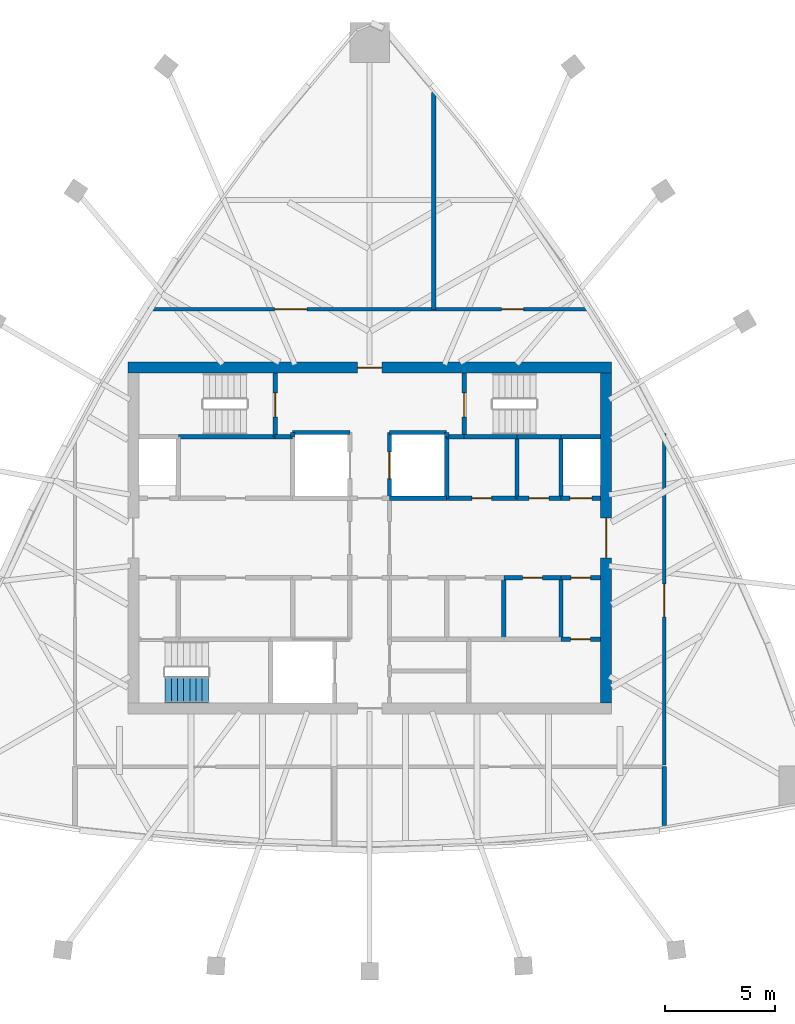
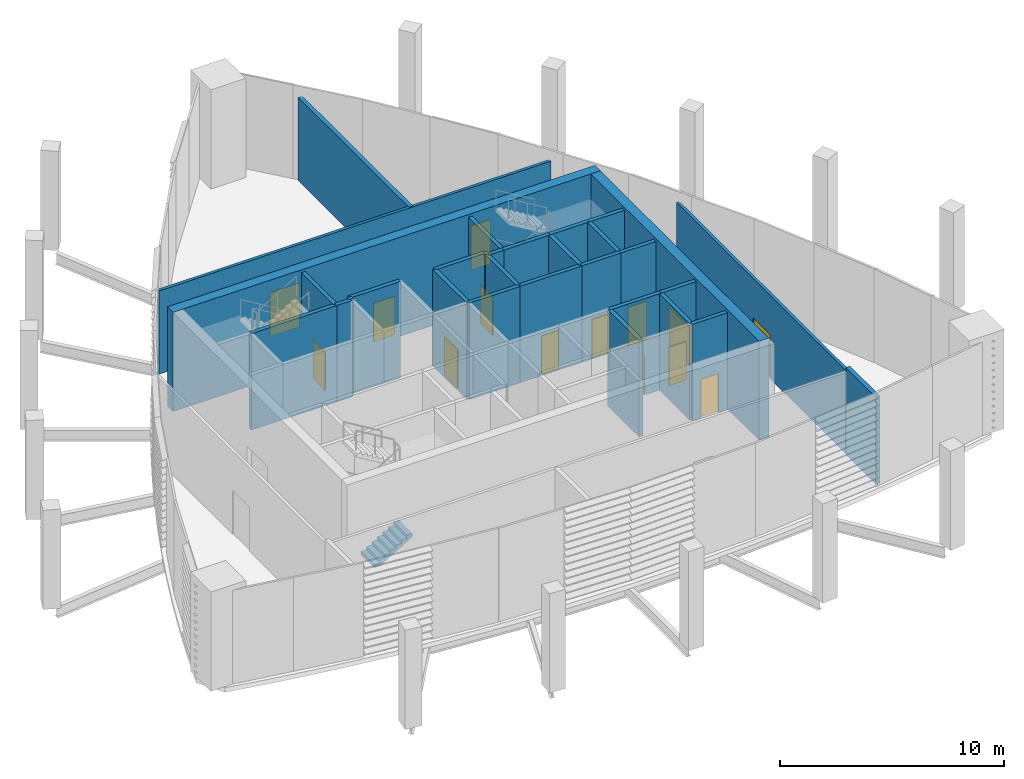
# One storey, part 4 of 8: 31 walls, 14 doors, 1 stair flight, 14 openings, 1 element without a shape of its own.
"""IFC4 building model written with IfcOpenShell, lengths in metres."""

from ifc_helpers import new_model, si_unit, direction, frame, frame_2d, origin, place, context, subcontext, project, spatial, polyline, rectangle, outline, extrude, material, layer, layer_set, type_object, element, fill, aggregate, save


model = new_model("IFC4")

# Units and contexts
model_context = context("Model", 3, precision=1e-05, world=origin(), true_north=direction((0.0, 1.0)))
body_context = subcontext(model_context, "Body", "Model", "MODEL_VIEW")
ifc_project = project(units=[si_unit("LENGTHUNIT", "METRE"), si_unit("AREAUNIT", "SQUARE_METRE"), si_unit("VOLUMEUNIT", "CUBIC_METRE"), si_unit("PLANEANGLEUNIT", "RADIAN"), si_unit("MASSUNIT", "GRAM", prefix="KILO")], contexts=[model_context])

# Site, building, storey
site_placement = place(None, origin())
site = spatial("IfcSite", under=ifc_project, at=site_placement, CompositionType="ELEMENT")
building_placement = place(site_placement, origin())
building = spatial("IfcBuilding", under=site, at=building_placement, Name="Sierra Prisma Convention Tower", CompositionType="ELEMENT")
storey_placement = place(building_placement, frame((0.0, 0.0, 344.800048828125)))
storey = spatial("IfcBuildingStorey", under=building, at=storey_placement, Name="L77", CompositionType="ELEMENT", Elevation=344.800048828125)

# Walls
ifc_material_1 = material(Name="Concrete C30/37", Category="concrete")
ifc_layer_1 = layer(ifc_material_1, 0.199951171875)
ifc_layer_set_1 = layer_set([ifc_layer_1], Name="Core wall RC 200 C30/37")
wall_type_1 = type_object("IfcWallType", Name="Core wall RC 200 C30/37", PredefinedType="SOLIDWALL", material=ifc_layer_set_1)
wall_1_placement = place(storey_placement, frame((-4.300048828125, 4.60009765625, 0.0), z_axis=(0.0, 0.0, 1.0), x_axis=(-1.0, 0.0, 0.0)))
element("IfcWall", 1, at=wall_1_placement, inside=storey, type_object=wall_type_1, Name="Core wall L77 10", PredefinedType="SOLIDWALL", context=body_context, shape_type="SweptSolid", body=[
    extrude(rectangle(XDim=4.39990234375, YDim=0.199951171875, at=frame_2d((2.199951171875, 0.0))), origin(), (0.0, 0.0, 1.0), 5.25),
])
wall_2_placement = place(storey_placement, frame((-3.5, 4.60009765625, 0.0), z_axis=(0.0, 0.0, 1.0), x_axis=(-1.0, 0.0, 0.0)))
element("IfcWall", 2, at=wall_2_placement, inside=storey, type_object=wall_type_1, Name="Core wall L77 13", PredefinedType="SOLIDWALL", context=body_context, shape_type="SweptSolid", body=[
    extrude(rectangle(XDim=0.800048828125, YDim=0.199951171875, at=frame_2d((0.39990234375, 0.0))), origin(), (0.0, 0.0, 1.0), 5.25),
])

# Wall, opening, door
wall_3_placement = place(storey_placement, frame((-4.300048828125, 4.60009765625, 0.0), z_axis=(0.0, 0.0, 1.0), x_axis=(0.0, 1.0, 0.0)))
wall_3 = element("IfcWall", 3, at=wall_3_placement, inside=storey, type_object=wall_type_1, Name="Core wall L77 14", PredefinedType="SOLIDWALL", context=body_context, shape_type="SweptSolid", body=[
    extrude(rectangle(XDim=2.89990234375, YDim=0.199951171875, at=frame_2d((1.449951171875, 0.0))), origin(), (0.0, 0.0, 1.0), 5.25),
])
opening_1_placement = place(wall_3_placement, frame((0.89990234375, 0.0, 0.0)))
opening_1 = element("IfcOpeningElement", 4, at=opening_1_placement, cuts=wall_3, Name="Opening L77-D012", PredefinedType="OPENING", context=body_context, shape_type="SweptSolid", body=[
    extrude(rectangle(XDim=1.10009765625, YDim=2.10009765625, at=frame_2d((0.550048828125, 1.050048828125))), frame((0.0, 0.10009765625, 0.0), z_axis=(0.0, -1.0, 0.0), x_axis=(1.0, 0.0, 0.0)), (0.0, 0.0, 1.0), 0.199951171875),
])
ifc_material_2 = material(Name="Steel fire door leaf", Category="steel")
door_type_1 = type_object("IfcDoorType", Name="Door 1100x2100 FD90S", OperationType="SINGLE_SWING_LEFT", PredefinedType="DOOR", material=ifc_material_2)
door_1_placement = place(opening_1_placement, origin())
door_1 = element("IfcDoor", 5, at=door_1_placement, inside=storey, type_object=door_type_1, Name="Door L77 18", OperationType="SINGLE_SWING_RIGHT", OverallHeight=2.10009765625, OverallWidth=1.10009765625, PredefinedType="DOOR", context=body_context, shape_type="SweptSolid", body=[
    extrude(rectangle(XDim=1.10009765625, YDim=2.10009765625, at=frame_2d((0.550048828125, 1.050048828125))), frame((0.0, 0.02490234375, 0.0), z_axis=(0.0, -1.0, 0.0), x_axis=(1.0, 0.0, 0.0)), (0.0, 0.0, 1.0), 0.050048828125),
])
fill(opening_1, door_1)

# Walls
wall_4_placement = place(storey_placement, frame((-0.89990234375, 4.800048828125, 0.0), z_axis=(0.0, 0.0, 1.0), x_axis=(-1.0, 0.0, 0.0)))
element("IfcWall", 6, at=wall_4_placement, inside=storey, type_object=wall_type_1, Name="Core wall L77 21", PredefinedType="SOLIDWALL", context=body_context, shape_type="SweptSolid", body=[
    extrude(rectangle(XDim=2.60009765625, YDim=0.199951171875, at=frame_2d((1.300048828125, 0.0))), origin(), (0.0, 0.0, 1.0), 5.25),
])
wall_5_placement = place(storey_placement, frame((-3.5, 4.800048828125, 0.0), z_axis=(0.0, 0.0, 1.0), x_axis=(0.0, -1.0, 0.0)))
element("IfcWall", 7, at=wall_5_placement, inside=storey, type_object=wall_type_1, Name="Core wall L77 22", PredefinedType="SOLIDWALL", context=body_context, shape_type="SweptSolid", body=[
    extrude(rectangle(XDim=0.199951171875, YDim=0.199951171875, at=frame_2d((0.10009765625, 0.0))), origin(), (0.0, 0.0, 1.0), 5.25),
])
wall_6_placement = place(storey_placement, frame((3.5, 1.800048828125, 0.0), z_axis=(0.0, 0.0, 1.0), x_axis=(-1.0, 0.0, 0.0)))
element("IfcWall", 8, at=wall_6_placement, inside=storey, type_object=wall_type_1, Name="Core wall L77 36", PredefinedType="SOLIDWALL", context=body_context, shape_type="SweptSolid", body=[
    extrude(rectangle(XDim=2.60009765625, YDim=0.199951171875, at=frame_2d((1.300048828125, 0.0))), origin(), (0.0, 0.0, 1.0), 5.25),
])
wall_7_placement = place(storey_placement, frame((3.5, 4.60009765625, 0.0), z_axis=(0.0, 0.0, 1.0), x_axis=(0.0, 1.0, 0.0)))
element("IfcWall", 9, at=wall_7_placement, inside=storey, type_object=wall_type_1, Name="Core wall L77 37", PredefinedType="SOLIDWALL", context=body_context, shape_type="SweptSolid", body=[
    extrude(rectangle(XDim=0.199951171875, YDim=0.199951171875, at=frame_2d((0.10009765625, 0.0))), origin(), (0.0, 0.0, 1.0), 5.25),
])
wall_8_placement = place(storey_placement, frame((3.5, 4.800048828125, 0.0), z_axis=(0.0, 0.0, 1.0), x_axis=(-1.0, 0.0, 0.0)))
element("IfcWall", 10, at=wall_8_placement, inside=storey, type_object=wall_type_1, Name="Core wall L77 38", PredefinedType="SOLIDWALL", context=body_context, shape_type="SweptSolid", body=[
    extrude(rectangle(XDim=2.60009765625, YDim=0.199951171875, at=frame_2d((1.300048828125, 0.0))), origin(), (0.0, 0.0, 1.0), 5.25),
])

# Wall, opening, door
wall_9_placement = place(storey_placement, frame((0.89990234375, 4.800048828125, 0.0), z_axis=(0.0, 0.0, 1.0), x_axis=(0.0, -1.0, 0.0)))
wall_9 = element("IfcWall", 11, at=wall_9_placement, inside=storey, type_object=wall_type_1, Name="Core wall L77 39", PredefinedType="SOLIDWALL", context=body_context, shape_type="SweptSolid", body=[
    extrude(rectangle(XDim=3.0, YDim=0.199951171875, at=frame_2d((1.5, 0.0))), origin(), (0.0, 0.0, 1.0), 5.25),
])
opening_2_placement = place(wall_9_placement, frame((0.89990234375, 0.0, 0.0)))
opening_2 = element("IfcOpeningElement", 12, at=opening_2_placement, cuts=wall_9, Name="Opening L77-D002", PredefinedType="OPENING", context=body_context, shape_type="SweptSolid", body=[
    extrude(rectangle(XDim=1.199951171875, YDim=2.10009765625, at=frame_2d((0.60009765625, 1.050048828125))), frame((0.0, 0.10009765625, 0.0), z_axis=(0.0, -1.0, 0.0), x_axis=(1.0, 0.0, 0.0)), (0.0, 0.0, 1.0), 0.199951171875),
])
ifc_material_3 = material(Name="Steel fire door leaf", Category="steel")
door_type_2 = type_object("IfcDoorType", Name="Door 1200x2100 EI 90 sliding lift landing", OperationType="SLIDING_TO_LEFT", PredefinedType="DOOR", material=ifc_material_3)
door_2_placement = place(opening_2_placement, origin())
door_2 = element("IfcDoor", 13, at=door_2_placement, inside=storey, type_object=door_type_2, Name="Door L77 8", OperationType="SLIDING_TO_LEFT", OverallHeight=2.10009765625, OverallWidth=1.199951171875, PredefinedType="DOOR", context=body_context, shape_type="SweptSolid", body=[
    extrude(rectangle(XDim=1.199951171875, YDim=2.10009765625, at=frame_2d((0.60009765625, 1.050048828125))), frame((0.0, 0.02490234375, 0.0), z_axis=(0.0, -1.0, 0.0), x_axis=(1.0, 0.0, 0.0)), (0.0, 0.0, 1.0), 0.050048828125),
])
fill(opening_2, door_2)

wall_10_placement = place(storey_placement, frame((3.5, 1.800048828125, 0.0), z_axis=(0.0, 0.0, 1.0), x_axis=(1.0, 0.0, 0.0)))
wall_10 = element("IfcWall", 14, at=wall_10_placement, inside=storey, type_object=wall_type_1, Name="Core wall L77 43", PredefinedType="SOLIDWALL", context=body_context, shape_type="SweptSolid", body=[
    extrude(rectangle(XDim=3.199951171875, YDim=0.199951171875, at=frame_2d((1.60009765625, 0.0))), origin(), (0.0, 0.0, 1.0), 5.25),
])
opening_3_placement = place(wall_10_placement, frame((1.14990234375, 0.0, 0.0)))
opening_3 = element("IfcOpeningElement", 15, at=opening_3_placement, cuts=wall_10, Name="Opening L77-D014", PredefinedType="OPENING", context=body_context, shape_type="SweptSolid", body=[
    extrude(rectangle(XDim=0.89990234375, YDim=2.10009765625, at=frame_2d((0.449951171875, 1.050048828125))), frame((0.0, 0.10009765625, 0.0), z_axis=(0.0, -1.0, 0.0), x_axis=(1.0, 0.0, 0.0)), (0.0, 0.0, 1.0), 0.199951171875),
])
ifc_material_4 = material(Name="Steel fire door leaf", Category="steel")
door_type_3 = type_object("IfcDoorType", Name="Door 900x2100 FD30S", OperationType="SINGLE_SWING_LEFT", PredefinedType="DOOR", material=ifc_material_4)
door_3_placement = place(opening_3_placement, origin())
door_3 = element("IfcDoor", 16, at=door_3_placement, inside=storey, type_object=door_type_3, Name="Door L77 20", OperationType="SINGLE_SWING_LEFT", OverallHeight=2.10009765625, OverallWidth=0.89990234375, PredefinedType="DOOR", context=body_context, shape_type="SweptSolid", body=[
    extrude(rectangle(XDim=0.89990234375, YDim=2.10009765625, at=frame_2d((0.449951171875, 1.050048828125))), frame((0.0, 0.02490234375, 0.0), z_axis=(0.0, -1.0, 0.0), x_axis=(1.0, 0.0, 0.0)), (0.0, 0.0, 1.0), 0.050048828125),
])
fill(opening_3, door_3)

# Walls
wall_11_placement = place(storey_placement, frame((3.5, 4.60009765625, 0.0), z_axis=(0.0, 0.0, 1.0), x_axis=(0.0, -1.0, 0.0)))
element("IfcWall", 17, at=wall_11_placement, inside=storey, type_object=wall_type_1, Name="Core wall L77 44", PredefinedType="SOLIDWALL", context=body_context, shape_type="SweptSolid", body=[
    extrude(rectangle(XDim=2.800048828125, YDim=0.199951171875, at=frame_2d((1.39990234375, 0.0))), origin(), (0.0, 0.0, 1.0), 5.25),
])
wall_12_placement = place(storey_placement, frame((4.300048828125, 4.60009765625, 0.0), z_axis=(0.0, 0.0, 1.0), x_axis=(-1.0, 0.0, 0.0)))
element("IfcWall", 18, at=wall_12_placement, inside=storey, type_object=wall_type_1, Name="Core wall L77 45", PredefinedType="SOLIDWALL", context=body_context, shape_type="SweptSolid", body=[
    extrude(rectangle(XDim=0.800048828125, YDim=0.199951171875, at=frame_2d((0.39990234375, 0.0))), origin(), (0.0, 0.0, 1.0), 5.25),
])
wall_13_placement = place(storey_placement, frame((6.699951171875, 4.60009765625, 0.0), z_axis=(0.0, 0.0, 1.0), x_axis=(-1.0, 0.0, 0.0)))
element("IfcWall", 19, at=wall_13_placement, inside=storey, type_object=wall_type_1, Name="Core wall L77 46", PredefinedType="SOLIDWALL", context=body_context, shape_type="SweptSolid", body=[
    extrude(rectangle(XDim=2.39990234375, YDim=0.199951171875, at=frame_2d((1.199951171875, 0.0))), origin(), (0.0, 0.0, 1.0), 5.25),
])

# Wall, opening, door
wall_14_placement = place(storey_placement, frame((4.300048828125, 7.5, 0.0), z_axis=(0.0, 0.0, 1.0), x_axis=(0.0, -1.0, 0.0)))
wall_14 = element("IfcWall", 20, at=wall_14_placement, inside=storey, type_object=wall_type_1, Name="Core wall L77 47", PredefinedType="SOLIDWALL", context=body_context, shape_type="SweptSolid", body=[
    extrude(rectangle(XDim=2.89990234375, YDim=0.199951171875, at=frame_2d((1.449951171875, 0.0))), origin(), (0.0, 0.0, 1.0), 5.25),
])
opening_4_placement = place(wall_14_placement, frame((0.89990234375, 0.0, 0.0)))
opening_4 = element("IfcOpeningElement", 21, at=opening_4_placement, cuts=wall_14, Name="Opening L77-D013", PredefinedType="OPENING", context=body_context, shape_type="SweptSolid", body=[
    extrude(rectangle(XDim=1.10009765625, YDim=2.10009765625, at=frame_2d((0.550048828125, 1.050048828125))), frame((0.0, 0.10009765625, 0.0), z_axis=(0.0, -1.0, 0.0), x_axis=(1.0, 0.0, 0.0)), (0.0, 0.0, 1.0), 0.199951171875),
])
door_4_placement = place(opening_4_placement, origin())
door_4 = element("IfcDoor", 22, at=door_4_placement, inside=storey, type_object=door_type_1, Name="Door L77 19", OperationType="SINGLE_SWING_LEFT", OverallHeight=2.10009765625, OverallWidth=1.10009765625, PredefinedType="DOOR", context=body_context, shape_type="SweptSolid", body=[
    extrude(rectangle(XDim=1.10009765625, YDim=2.10009765625, at=frame_2d((0.550048828125, 1.050048828125))), frame((0.0, 0.02490234375, 0.0), z_axis=(0.0, -1.0, 0.0), x_axis=(1.0, 0.0, 0.0)), (0.0, 0.0, 1.0), 0.050048828125),
])
fill(opening_4, door_4)

# Wall
wall_15_placement = place(storey_placement, frame((6.10009765625, -4.60009765625, 0.0), z_axis=(0.0, 0.0, 1.0), x_axis=(0.0, 1.0, 0.0)))
element("IfcWall", 23, at=wall_15_placement, inside=storey, type_object=wall_type_1, Name="Core wall L77 52", PredefinedType="SOLIDWALL", context=body_context, shape_type="SweptSolid", body=[
    extrude(rectangle(XDim=2.800048828125, YDim=0.199951171875, at=frame_2d((1.39990234375, 0.0))), origin(), (0.0, 0.0, 1.0), 5.25),
])

# Wall, opening, door
wall_16_placement = place(storey_placement, frame((8.699951171875, -1.800048828125, 0.0), z_axis=(0.0, 0.0, 1.0), x_axis=(-1.0, 0.0, 0.0)))
wall_16 = element("IfcWall", 24, at=wall_16_placement, inside=storey, type_object=wall_type_1, Name="Core wall L77 53", PredefinedType="SOLIDWALL", context=body_context, shape_type="SweptSolid", body=[
    extrude(rectangle(XDim=2.599853515625, YDim=0.199951171875, at=frame_2d((1.2998046875, 0.0))), origin(), (0.0, 0.0, 1.0), 5.25),
])
opening_5_placement = place(wall_16_placement, frame((0.85009765625, 0.0, 0.0)))
opening_5 = element("IfcOpeningElement", 25, at=opening_5_placement, cuts=wall_16, Name="Opening L77-D020", PredefinedType="OPENING", context=body_context, shape_type="SweptSolid", body=[
    extrude(rectangle(XDim=0.89990234375, YDim=2.10009765625, at=frame_2d((0.449951171875, 1.050048828125))), frame((0.0, 0.10009765625, 0.0), z_axis=(0.0, -1.0, 0.0), x_axis=(1.0, 0.0, 0.0)), (0.0, 0.0, 1.0), 0.199951171875),
])
door_5_placement = place(opening_5_placement, origin())
door_5 = element("IfcDoor", 26, at=door_5_placement, inside=storey, type_object=door_type_3, Name="Door L77 26", OperationType="SINGLE_SWING_LEFT", OverallHeight=2.10009765625, OverallWidth=0.89990234375, PredefinedType="DOOR", context=body_context, shape_type="SweptSolid", body=[
    extrude(rectangle(XDim=0.89990234375, YDim=2.10009765625, at=frame_2d((0.449951171875, 1.050048828125))), frame((0.0, 0.02490234375, 0.0), z_axis=(0.0, -1.0, 0.0), x_axis=(1.0, 0.0, 0.0)), (0.0, 0.0, 1.0), 0.050048828125),
])
fill(opening_5, door_5)

wall_17_placement = place(storey_placement, frame((6.699951171875, 1.800048828125, 0.0), z_axis=(0.0, 0.0, 1.0), x_axis=(1.0, 0.0, 0.0)))
wall_17 = element("IfcWall", 27, at=wall_17_placement, inside=storey, type_object=wall_type_1, Name="Core wall L77 54", PredefinedType="SOLIDWALL", context=body_context, shape_type="SweptSolid", body=[
    extrude(rectangle(XDim=2.0, YDim=0.199951171875, at=frame_2d((1.0, 0.0))), origin(), (0.0, 0.0, 1.0), 5.25),
])
opening_6_placement = place(wall_17_placement, frame((0.550048828125, 0.0, 0.0)))
opening_6 = element("IfcOpeningElement", 28, at=opening_6_placement, cuts=wall_17, Name="Opening L77-D015", PredefinedType="OPENING", context=body_context, shape_type="SweptSolid", body=[
    extrude(rectangle(XDim=0.89990234375, YDim=2.10009765625, at=frame_2d((0.449951171875, 1.050048828125))), frame((0.0, 0.10009765625, 0.0), z_axis=(0.0, -1.0, 0.0), x_axis=(1.0, 0.0, 0.0)), (0.0, 0.0, 1.0), 0.199951171875),
])
door_6_placement = place(opening_6_placement, origin())
door_6 = element("IfcDoor", 29, at=door_6_placement, inside=storey, type_object=door_type_3, Name="Door L77 21", OperationType="SINGLE_SWING_RIGHT", OverallHeight=2.10009765625, OverallWidth=0.89990234375, PredefinedType="DOOR", context=body_context, shape_type="SweptSolid", body=[
    extrude(rectangle(XDim=0.89990234375, YDim=2.10009765625, at=frame_2d((0.449951171875, 1.050048828125))), frame((0.0, 0.02490234375, 0.0), z_axis=(0.0, -1.0, 0.0), x_axis=(1.0, 0.0, 0.0)), (0.0, 0.0, 1.0), 0.050048828125),
])
fill(opening_6, door_6)

# Walls
wall_18_placement = place(storey_placement, frame((6.699951171875, 1.800048828125, 0.0), z_axis=(0.0, 0.0, 1.0), x_axis=(0.0, 1.0, 0.0)))
element("IfcWall", 30, at=wall_18_placement, inside=storey, type_object=wall_type_1, Name="Core wall L77 55", PredefinedType="SOLIDWALL", context=body_context, shape_type="SweptSolid", body=[
    extrude(rectangle(XDim=2.800048828125, YDim=0.199951171875, at=frame_2d((1.39990234375, 0.0))), origin(), (0.0, 0.0, 1.0), 5.25),
])
wall_19_placement = place(storey_placement, frame((8.699951171875, 4.60009765625, 0.0), z_axis=(0.0, 0.0, 1.0), x_axis=(-1.0, 0.0, 0.0)))
element("IfcWall", 31, at=wall_19_placement, inside=storey, type_object=wall_type_1, Name="Core wall L77 56", PredefinedType="SOLIDWALL", context=body_context, shape_type="SweptSolid", body=[
    extrude(rectangle(XDim=2.0, YDim=0.199951171875, at=frame_2d((1.0, 0.0))), origin(), (0.0, 0.0, 1.0), 5.25),
])

# Wall, opening, door
wall_20_placement = place(storey_placement, frame((10.5, -4.60009765625, 0.0), z_axis=(0.0, 0.0, 1.0), x_axis=(-1.0, 0.0, 0.0)))
wall_20 = element("IfcWall", 32, at=wall_20_placement, inside=storey, type_object=wall_type_1, Name="Core wall L77 57", PredefinedType="SOLIDWALL", context=body_context, shape_type="SweptSolid", body=[
    extrude(rectangle(XDim=1.800048828125, YDim=0.199951171875, at=frame_2d((0.89990234375, 0.0))), origin(), (0.0, 0.0, 1.0), 5.25),
])
opening_7_placement = place(wall_20_placement, frame((0.4599609375, 0.0, 0.0)))
opening_7 = element("IfcOpeningElement", 33, at=opening_7_placement, cuts=wall_20, Name="Opening L77-D022", PredefinedType="OPENING", context=body_context, shape_type="SweptSolid", body=[
    extrude(rectangle(XDim=0.89990234375, YDim=2.10009765625, at=frame_2d((0.449951171875, 1.050048828125))), frame((0.0, 0.10009765625, 0.0), z_axis=(0.0, -1.0, 0.0), x_axis=(1.0, 0.0, 0.0)), (0.0, 0.0, 1.0), 0.199951171875),
])
door_7_placement = place(opening_7_placement, origin())
door_7 = element("IfcDoor", 34, at=door_7_placement, inside=storey, type_object=door_type_3, Name="Door L77 28", OperationType="SINGLE_SWING_LEFT", OverallHeight=2.10009765625, OverallWidth=0.89990234375, PredefinedType="DOOR", context=body_context, shape_type="SweptSolid", body=[
    extrude(rectangle(XDim=0.89990234375, YDim=2.10009765625, at=frame_2d((0.449951171875, 1.050048828125))), frame((0.0, 0.02490234375, 0.0), z_axis=(0.0, -1.0, 0.0), x_axis=(1.0, 0.0, 0.0)), (0.0, 0.0, 1.0), 0.050048828125),
])
fill(opening_7, door_7)

# Wall
wall_21_placement = place(storey_placement, frame((8.699951171875, -4.60009765625, 0.0), z_axis=(0.0, 0.0, 1.0), x_axis=(0.0, 1.0, 0.0)))
element("IfcWall", 35, at=wall_21_placement, inside=storey, type_object=wall_type_1, Name="Core wall L77 58", PredefinedType="SOLIDWALL", context=body_context, shape_type="SweptSolid", body=[
    extrude(rectangle(XDim=2.800048828125, YDim=0.199951171875, at=frame_2d((1.39990234375, 0.0))), origin(), (0.0, 0.0, 1.0), 5.25),
])

# Wall, opening, door
wall_22_placement = place(storey_placement, frame((8.699951171875, -1.800048828125, 0.0), z_axis=(0.0, 0.0, 1.0), x_axis=(1.0, 0.0, 0.0)))
wall_22 = element("IfcWall", 36, at=wall_22_placement, inside=storey, type_object=wall_type_1, Name="Core wall L77 59", PredefinedType="SOLIDWALL", context=body_context, shape_type="SweptSolid", body=[
    extrude(rectangle(XDim=1.800048828125, YDim=0.199951171875, at=frame_2d((0.89990234375, 0.0))), origin(), (0.0, 0.0, 1.0), 5.25),
])
opening_8_placement = place(wall_22_placement, frame((0.449951171875, 0.0, 0.0)))
opening_8 = element("IfcOpeningElement", 37, at=opening_8_placement, cuts=wall_22, Name="Opening L77-D023", PredefinedType="OPENING", context=body_context, shape_type="SweptSolid", body=[
    extrude(rectangle(XDim=0.89990234375, YDim=2.10009765625, at=frame_2d((0.449951171875, 1.050048828125))), frame((0.0, 0.10009765625, 0.0), z_axis=(0.0, -1.0, 0.0), x_axis=(1.0, 0.0, 0.0)), (0.0, 0.0, 1.0), 0.199951171875),
])
door_8_placement = place(opening_8_placement, origin())
door_8 = element("IfcDoor", 38, at=door_8_placement, inside=storey, type_object=door_type_3, Name="Door L77 29", OperationType="SINGLE_SWING_LEFT", OverallHeight=2.10009765625, OverallWidth=0.89990234375, PredefinedType="DOOR", context=body_context, shape_type="SweptSolid", body=[
    extrude(rectangle(XDim=0.89990234375, YDim=2.10009765625, at=frame_2d((0.449951171875, 1.050048828125))), frame((0.0, 0.02490234375, 0.0), z_axis=(0.0, -1.0, 0.0), x_axis=(1.0, 0.0, 0.0)), (0.0, 0.0, 1.0), 0.050048828125),
])
fill(opening_8, door_8)

wall_23_placement = place(storey_placement, frame((10.5, 1.800048828125, 0.0), z_axis=(0.0, 0.0, 1.0), x_axis=(-1.0, 0.0, 0.0)))
wall_23 = element("IfcWall", 39, at=wall_23_placement, inside=storey, type_object=wall_type_1, Name="Core wall L77 60", PredefinedType="SOLIDWALL", context=body_context, shape_type="SweptSolid", body=[
    extrude(rectangle(XDim=1.800048828125, YDim=0.199951171875, at=frame_2d((0.89990234375, 0.0))), origin(), (0.0, 0.0, 1.0), 5.25),
])
opening_9_placement = place(wall_23_placement, frame((0.39990234375, 0.0, 0.0)))
opening_9 = element("IfcOpeningElement", 40, at=opening_9_placement, cuts=wall_23, Name="Opening L77-D010", PredefinedType="OPENING", context=body_context, shape_type="SweptSolid", body=[
    extrude(rectangle(XDim=1.0, YDim=2.10009765625, at=frame_2d((0.5, 1.050048828125))), frame((0.0, 0.10009765625, 0.0), z_axis=(0.0, -1.0, 0.0), x_axis=(1.0, 0.0, 0.0)), (0.0, 0.0, 1.0), 0.199951171875),
])
ifc_material_5 = material(Name="Steel fire door leaf", Category="steel")
door_type_4 = type_object("IfcDoorType", Name="Door 1000x2100 FD60S", OperationType="SINGLE_SWING_LEFT", PredefinedType="DOOR", material=ifc_material_5)
door_9_placement = place(opening_9_placement, origin())
door_9 = element("IfcDoor", 41, at=door_9_placement, inside=storey, type_object=door_type_4, Name="Door L77 16", OperationType="SINGLE_SWING_LEFT", OverallHeight=2.10009765625, OverallWidth=1.0, PredefinedType="DOOR", context=body_context, shape_type="SweptSolid", body=[
    extrude(rectangle(XDim=1.0, YDim=2.10009765625, at=frame_2d((0.5, 1.050048828125))), frame((0.0, 0.02490234375, 0.0), z_axis=(0.0, -1.0, 0.0), x_axis=(1.0, 0.0, 0.0)), (0.0, 0.0, 1.0), 0.050048828125),
])
fill(opening_9, door_9)

# Walls
wall_24_placement = place(storey_placement, frame((8.699951171875, 1.800048828125, 0.0), z_axis=(0.0, 0.0, 1.0), x_axis=(0.0, 1.0, 0.0)))
element("IfcWall", 42, at=wall_24_placement, inside=storey, type_object=wall_type_1, Name="Core wall L77 61", PredefinedType="SOLIDWALL", context=body_context, shape_type="SweptSolid", body=[
    extrude(rectangle(XDim=2.800048828125, YDim=0.199951171875, at=frame_2d((1.39990234375, 0.0))), origin(), (0.0, 0.0, 1.0), 5.25),
])
wall_25_placement = place(storey_placement, frame((10.5, 4.60009765625, 0.0), z_axis=(0.0, 0.0, 1.0), x_axis=(-1.0, 0.0, 0.0)))
element("IfcWall", 43, at=wall_25_placement, inside=storey, type_object=wall_type_1, Name="Core wall L77 62", PredefinedType="SOLIDWALL", context=body_context, shape_type="SweptSolid", body=[
    extrude(rectangle(XDim=1.800048828125, YDim=0.199951171875, at=frame_2d((0.89990234375, 0.0))), origin(), (0.0, 0.0, 1.0), 5.25),
])

# Wall, opening, door
ifc_material_6 = material(Name="Concrete C50/60", Category="concrete")
ifc_layer_2 = layer(ifc_material_6, 0.5)
ifc_layer_set_2 = layer_set([ifc_layer_2], Name="Core wall RC 500 C50/60")
wall_type_2 = type_object("IfcWallType", Name="Core wall RC 500 C50/60", PredefinedType="SHEAR", material=ifc_layer_set_2)
wall_26_placement = place(storey_placement, frame((-11.0, 7.75, 0.0), z_axis=(0.0, 0.0, 1.0), x_axis=(1.0, 0.0, 0.0)))
wall_26 = element("IfcWall", 44, at=wall_26_placement, inside=storey, type_object=wall_type_2, Name="Core wall N L77", PredefinedType="SHEAR", context=body_context, shape_type="SweptSolid", body=[
    extrude(rectangle(XDim=22.0, YDim=0.5, at=frame_2d((11.0, 0.0))), origin(), (0.0, 0.0, 1.0), 5.39990234375),
])
opening_10_placement = place(wall_26_placement, frame((10.449951171875, 0.0, 0.0)))
opening_10 = element("IfcOpeningElement", 45, at=opening_10_placement, cuts=wall_26, Name="Opening L77-D033", PredefinedType="OPENING", context=body_context, shape_type="SweptSolid", body=[
    extrude(rectangle(XDim=1.10009765625, YDim=2.10009765625, at=frame_2d((0.550048828125, 1.050048828125))), frame((0.0, 0.25, 0.0), z_axis=(0.0, -1.0, 0.0), x_axis=(1.0, 0.0, 0.0)), (0.0, 0.0, 1.0), 0.5),
])
ifc_material_7 = material(Name="Steel fire door leaf", Category="steel")
door_type_5 = type_object("IfcDoorType", Name="Door 1100x2100 FD60S", OperationType="SINGLE_SWING_LEFT", PredefinedType="DOOR", material=ifc_material_7)
door_10_placement = place(opening_10_placement, origin())
door_10 = element("IfcDoor", 46, at=door_10_placement, inside=storey, type_object=door_type_5, Name="Door L77 34", OperationType="SINGLE_SWING_RIGHT", OverallHeight=2.10009765625, OverallWidth=1.10009765625, PredefinedType="DOOR", context=body_context, shape_type="SweptSolid", body=[
    extrude(rectangle(XDim=1.10009765625, YDim=2.10009765625, at=frame_2d((0.550048828125, 1.050048828125))), frame((0.0, 0.02490234375, 0.0), z_axis=(0.0, -1.0, 0.0), x_axis=(1.0, 0.0, 0.0)), (0.0, 0.0, 1.0), 0.050048828125),
])
fill(opening_10, door_10)

wall_27_placement = place(storey_placement, frame((10.75, -7.5, 0.0), z_axis=(0.0, 0.0, 1.0), x_axis=(0.0, 1.0, 0.0)))
wall_27 = element("IfcWall", 47, at=wall_27_placement, inside=storey, type_object=wall_type_2, Name="Core wall E L77", PredefinedType="SHEAR", context=body_context, shape_type="SweptSolid", body=[
    extrude(rectangle(XDim=15.0, YDim=0.5, at=frame_2d((7.5, 0.0))), origin(), (0.0, 0.0, 1.0), 5.39990234375),
])
opening_11_placement = place(wall_27_placement, frame((6.60009765625, 0.0, 0.0)))
opening_11 = element("IfcOpeningElement", 48, at=opening_11_placement, cuts=wall_27, Name="Opening L77-D032", PredefinedType="OPENING", context=body_context, shape_type="SweptSolid", body=[
    extrude(rectangle(XDim=1.800048828125, YDim=2.10009765625, at=frame_2d((0.89990234375, 1.050048828125))), frame((0.0, 0.25, 0.0), z_axis=(0.0, -1.0, 0.0), x_axis=(1.0, 0.0, 0.0)), (0.0, 0.0, 1.0), 0.5),
])
ifc_material_8 = material(Name="Steel fire door leaf", Category="steel")
door_type_6 = type_object("IfcDoorType", Name="Door 1800x2100 FD60S", OperationType="DOUBLE_DOOR_SINGLE_SWING", PredefinedType="DOOR", material=ifc_material_8)
door_11_placement = place(opening_11_placement, origin())
door_11 = element("IfcDoor", 49, at=door_11_placement, inside=storey, type_object=door_type_6, Name="Door L77 33", OperationType="DOUBLE_DOOR_SINGLE_SWING", OverallHeight=2.10009765625, OverallWidth=1.800048828125, PredefinedType="DOOR", context=body_context, shape_type="SweptSolid", body=[
    extrude(rectangle(XDim=1.800048828125, YDim=2.10009765625, at=frame_2d((0.89990234375, 1.050048828125))), frame((0.0, 0.02490234375, 0.0), z_axis=(0.0, -1.0, 0.0), x_axis=(1.0, 0.0, 0.0)), (0.0, 0.0, 1.0), 0.050048828125),
])
fill(opening_11, door_11)

# Wall, openings, doors
ifc_material_9 = material(Name="Gypsum board partition", Category="gypsum")
ifc_layer_3 = layer(ifc_material_9, 0.14990234375)
ifc_layer_set_3 = layer_set([ifc_layer_3], Name="Corridor wall 150 gypsum EI 60")
wall_type_3 = type_object("IfcWallType", Name="Corridor wall 150 gypsum EI 60", PredefinedType="PARTITIONING", material=ifc_layer_set_3)
wall_28_placement = place(storey_placement, frame((10.08935546875, 10.39990234375, 0.0), z_axis=(0.0, 0.0, 1.0), x_axis=(-1.0, 0.0, 0.0)))
wall_28 = element("IfcWall", 50, at=wall_28_placement, inside=storey, type_object=wall_type_3, Name="Partition L77 corr 3", PredefinedType="PARTITIONING", context=body_context, shape_type="SweptSolid", body=[
    extrude(rectangle(XDim=20.1787109375, YDim=0.14990234375, at=frame_2d((10.08935546875, 0.0))), origin(), (0.0, 0.0, 1.0), 4.532958984375),
])
opening_12_placement = place(wall_28_placement, frame((3.08935546875, 0.0, 0.0)))
opening_12 = element("IfcOpeningElement", 51, at=opening_12_placement, cuts=wall_28, Name="Opening L77-D026", PredefinedType="OPENING", context=body_context, shape_type="SweptSolid", body=[
    extrude(rectangle(XDim=1.0, YDim=2.39990234375, at=frame_2d((0.5, 1.199951171875))), frame((0.0, 0.074951171875, 0.0), z_axis=(0.0, -1.0, 0.0), x_axis=(1.0, 0.0, 0.0)), (0.0, 0.0, 1.0), 0.14990234375),
])
opening_13_placement = place(wall_28_placement, frame((12.9287109375, 0.0, 0.0)))
opening_13 = element("IfcOpeningElement", 52, at=opening_13_placement, cuts=wall_28, Name="Opening L77-D027", PredefinedType="OPENING", context=body_context, shape_type="SweptSolid", body=[
    extrude(rectangle(XDim=1.5, YDim=2.39990234375, at=frame_2d((0.75, 1.199951171875))), frame((0.0, 0.074951171875, 0.0), z_axis=(0.0, -1.0, 0.0), x_axis=(1.0, 0.0, 0.0)), (0.0, 0.0, 1.0), 0.14990234375),
])
ifc_material_10 = material(Name="Steel fire door leaf", Category="steel")
door_type_7 = type_object("IfcDoorType", Name="Door 1000x2400 FD60S", OperationType="SINGLE_SWING_LEFT", PredefinedType="DOOR", material=ifc_material_10)
door_12_placement = place(opening_12_placement, origin())
door_12 = element("IfcDoor", 53, at=door_12_placement, inside=storey, type_object=door_type_7, Name="Door L77 1", OperationType="SINGLE_SWING_RIGHT", OverallHeight=2.39990234375, OverallWidth=1.0, PredefinedType="DOOR", context=body_context, shape_type="SweptSolid", body=[
    extrude(rectangle(XDim=1.0, YDim=2.39990234375, at=frame_2d((0.5, 1.199951171875))), frame((0.0, 0.02490234375, 0.0), z_axis=(0.0, -1.0, 0.0), x_axis=(1.0, 0.0, 0.0)), (0.0, 0.0, 1.0), 0.050048828125),
])
fill(opening_12, door_12)
ifc_material_11 = material(Name="Steel fire door leaf", Category="steel")
door_type_8 = type_object("IfcDoorType", Name="Door 1500x2400 FD60S", OperationType="DOUBLE_DOOR_SINGLE_SWING", PredefinedType="DOOR", material=ifc_material_11)
door_13_placement = place(opening_13_placement, origin())
door_13 = element("IfcDoor", 54, at=door_13_placement, inside=storey, type_object=door_type_8, Name="Door L77 2", OperationType="DOUBLE_DOOR_SINGLE_SWING", OverallHeight=2.39990234375, OverallWidth=1.5, PredefinedType="DOOR", context=body_context, shape_type="SweptSolid", body=[
    extrude(rectangle(XDim=1.5, YDim=2.39990234375, at=frame_2d((0.75, 1.199951171875))), frame((0.0, 0.02490234375, 0.0), z_axis=(0.0, -1.0, 0.0), x_axis=(1.0, 0.0, 0.0)), (0.0, 0.0, 1.0), 0.050048828125),
])
fill(opening_13, door_13)

# Wall, opening, door
wall_29_placement = place(storey_placement, frame((13.39990234375, -10.320068359375, 0.0), z_axis=(0.0, 0.0, 1.0), x_axis=(0.0, 1.0, 0.0)))
wall_29 = element("IfcWall", 55, at=wall_29_placement, inside=storey, type_object=wall_type_3, Name="Partition L77 corr 4", PredefinedType="PARTITIONING", context=body_context, shape_type="SweptSolid", body=[
    extrude(rectangle(XDim=15.07177734375, YDim=0.14990234375, at=frame_2d((7.535888671875, 0.0))), origin(), (0.0, 0.0, 1.0), 4.532958984375),
])
opening_14_placement = place(wall_29_placement, frame((6.73583984375, 0.0, 0.0)))
opening_14 = element("IfcOpeningElement", 56, at=opening_14_placement, cuts=wall_29, Name="Opening L77-D031", PredefinedType="OPENING", context=body_context, shape_type="SweptSolid", body=[
    extrude(rectangle(XDim=1.5, YDim=2.39990234375, at=frame_2d((0.75, 1.199951171875))), frame((0.0, 0.074951171875, 0.0), z_axis=(0.0, -1.0, 0.0), x_axis=(1.0, 0.0, 0.0)), (0.0, 0.0, 1.0), 0.14990234375),
])
door_14_placement = place(opening_14_placement, origin())
door_14 = element("IfcDoor", 57, at=door_14_placement, inside=storey, type_object=door_type_8, Name="Door L77 6", OperationType="DOUBLE_DOOR_SINGLE_SWING", OverallHeight=2.39990234375, OverallWidth=1.5, PredefinedType="DOOR", context=body_context, shape_type="SweptSolid", body=[
    extrude(rectangle(XDim=1.5, YDim=2.39990234375, at=frame_2d((0.75, 1.199951171875))), frame((0.0, 0.02490234375, 0.0), z_axis=(0.0, -1.0, 0.0), x_axis=(1.0, 0.0, 0.0)), (0.0, 0.0, 1.0), 0.050048828125),
])
fill(opening_14, door_14)

# Walls
ifc_material_12 = material(Name="Hollow clay block masonry", Category="masonry")
ifc_layer_4 = layer(ifc_material_12, 0.215087890625)
ifc_layer_set_4 = layer_set([ifc_layer_4], Name="Plant room wall 215 blockwork EI 120")
wall_type_4 = type_object("IfcWallType", Name="Plant room wall 215 blockwork EI 120", PredefinedType="PARTITIONING", material=ifc_layer_set_4)
wall_30_placement = place(storey_placement, frame((2.91064453125, 10.39990234375, 0.0), z_axis=(0.0, 0.0, 1.0), x_axis=(0.0, 1.0, 0.0)))
element("IfcWall", 58, at=wall_30_placement, inside=storey, type_object=wall_type_4, Name="Partition L77 plant 3", PredefinedType="PARTITIONING", context=body_context, shape_type="SweptSolid", body=[
    extrude(rectangle(XDim=9.858642578125, YDim=0.215087890625, at=frame_2d((4.92919921875, 0.0))), origin(), (0.0, 0.0, 1.0), 4.532958984375),
])
wall_31_placement = place(storey_placement, frame((13.39990234375, -10.39990234375, 0.0), z_axis=(0.0, 0.0, 1.0), x_axis=(0.0, -1.0, 0.0)))
element("IfcWall", 59, at=wall_31_placement, inside=storey, type_object=wall_type_4, Name="Partition L77 plant 4", PredefinedType="PARTITIONING", context=body_context, shape_type="SweptSolid", body=[
    extrude(rectangle(XDim=2.67041015625, YDim=0.215087890625, at=frame_2d((1.335205078125, 0.0))), origin(), (0.0, 0.0, 1.0), 4.75),
])

# Stair, stair flight
ifc_material_13 = material(Name="Concrete C30/37", Category="concrete")
stair_type = type_object("IfcStairType", Name="Stair dog-leg 1200 RC", PredefinedType="HALF_TURN_STAIR", material=ifc_material_13)
stair_placement = place(storey_placement, origin())
stair = element("IfcStair", 60, at=stair_placement, inside=storey, type_object=stair_type, Name="L77 S1", PredefinedType="HALF_TURN_STAIR")
ifc_material_14 = material(Name="Concrete C30/37", Category="concrete")
stair_flight_type = type_object("IfcStairFlightType", Name="Stair flight RC 1200", PredefinedType="STRAIGHT", material=ifc_material_14)
stair_flight_placement = place(storey_placement, frame((-9.300048828125, -6.89990234375, 0.0), z_axis=(0.0, 0.0, 1.0), x_axis=(1.0, 0.0, 0.0)))
stair_flight = element("IfcStairFlight", 61, at=stair_flight_placement, type_object=stair_flight_type, Name="S1 flight 1", NumberOfRisers=8, NumberOfTreads=7, PredefinedType="STRAIGHT", RiserHeight=0.16875, TreadLength=0.28, context=body_context, shape_type="SweptSolid", body=[
    extrude(outline(polyline([(0.0, 0.0), (0.0, 0.168701171875), (0.280029296875, 0.168701171875), (0.280029296875, 0.33740234375), (0.56005859375, 0.33740234375), (0.56005859375, 0.50634765625), (0.840087890625, 0.50634765625), (0.840087890625, 0.675048828125), (1.1201171875, 0.675048828125), (1.1201171875, 0.84375), (1.39990234375, 0.84375), (1.39990234375, 1.012451171875), (1.679931640625, 1.012451171875), (1.679931640625, 1.18115234375), (1.9599609375, 1.18115234375), (1.9599609375, 1.35009765625), (1.9599609375, 1.00634765625), (0.29052734375, 0.0), (0.0, 0.0)])), frame((0.0, 0.60009765625, 0.0), z_axis=(0.0, -1.0, 0.0), x_axis=(1.0, 0.0, 0.0)), (0.0, 0.0, 1.0), 1.199951171875),
])
aggregate(stair, [stair_flight])

save(model, "model.ifc")
